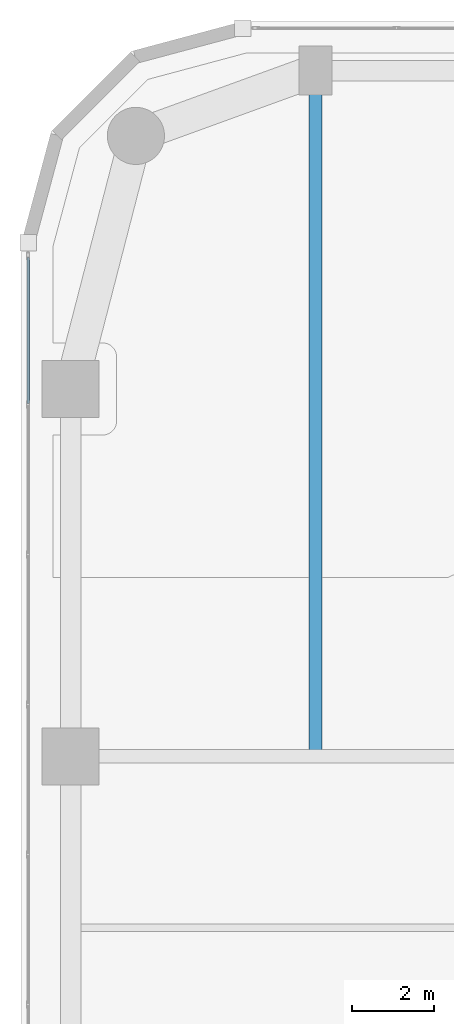
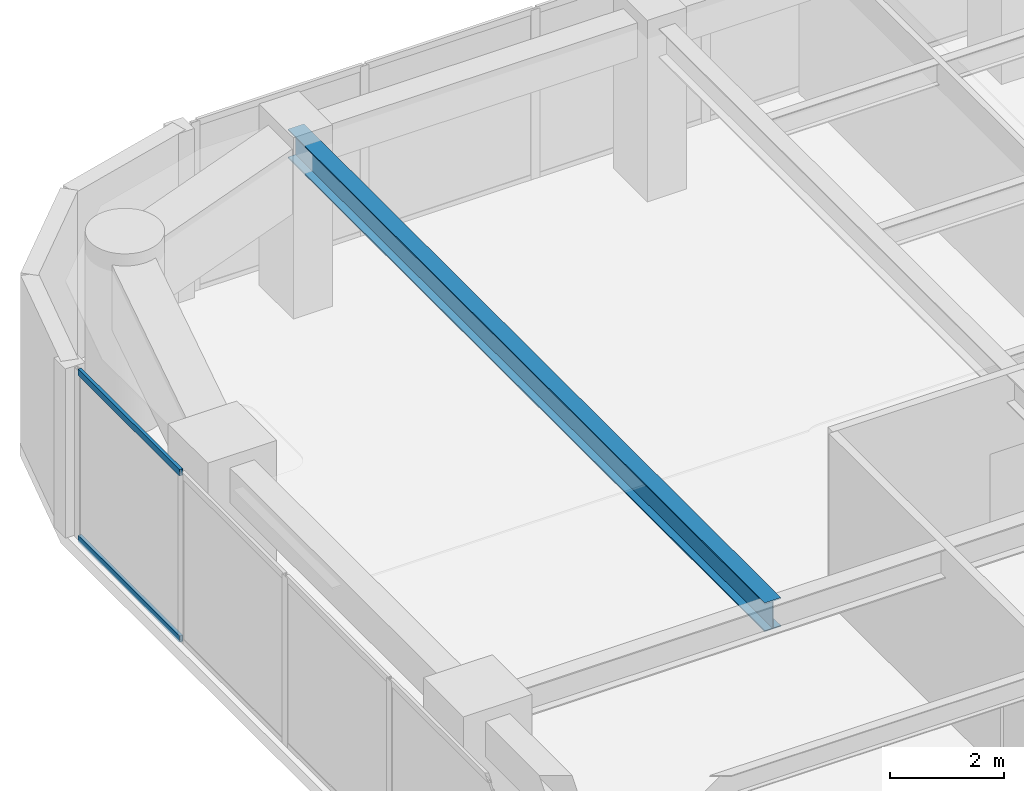
# One storey, part 10 of 24: 2 members, 1 beam, 1 element without a shape of its own.
"""IFC4 building model written with IfcOpenShell, lengths in metres."""

from ifc_helpers import new_model, si_unit, direction, frame, origin, origin_2d, place, context, subcontext, project, spatial, hollow_rectangle, i_section, extrude, material, layer, layer_set, material_profile, profile_set, type_object, element, aggregate, save


model = new_model("IFC4")

# Units and contexts
model_context = context("Model", 3, precision=1e-05, world=origin(), true_north=direction((0.0, 1.0)))
body_context = subcontext(model_context, "Body", "Model", "MODEL_VIEW")
ifc_project = project(units=[si_unit("LENGTHUNIT", "METRE"), si_unit("AREAUNIT", "SQUARE_METRE"), si_unit("VOLUMEUNIT", "CUBIC_METRE"), si_unit("PLANEANGLEUNIT", "RADIAN"), si_unit("MASSUNIT", "GRAM", prefix="KILO")], contexts=[model_context])

# Site, building, storey
site_placement = place(None, origin())
site = spatial("IfcSite", under=ifc_project, at=site_placement, CompositionType="ELEMENT")
building_placement = place(site_placement, origin())
building = spatial("IfcBuilding", under=site, at=building_placement, Name="Kiyonajd Concourse Tower", CompositionType="ELEMENT")
storey_placement = place(building_placement, frame((0.0, 0.0, 109.199951171875)))
storey = spatial("IfcBuildingStorey", under=building, at=storey_placement, Name="L28", CompositionType="ELEMENT", Elevation=109.199951171875)

# Beam
ifc_material_1 = material(Name="Steel ASTM A992 Grade 50", Category="steel")
ifc_material_profile_1 = material_profile(ifc_material_1, i_section(OverallWidth=0.326904296875, OverallDepth=0.6220703125, WebThickness=0.015380859375, FlangeThickness=0.0244140625, at=origin_2d()), Name="W610X195")
ifc_profile_set_1 = profile_set([ifc_material_profile_1], Name="Steel ASTM A992 Grade 50")
beam_type = type_object("IfcBeamType", Name="BM-TWR-610A", PredefinedType="BEAM", material=ifc_profile_set_1)
beam_placement = place(storey_placement, frame((25.199951171875, 44.39990234375, 3.3291015625), z_axis=(0.0, 1.0, 0.0), x_axis=(-1.0, 0.0, 0.0)))
element("IfcBeam", 1, at=beam_placement, inside=storey, type_object=beam_type, Name="L28 North Lease Girder", PredefinedType="BEAM", context=body_context, shape_type="SweptSolid", body=[
    extrude(i_section(OverallWidth=0.326904296875, OverallDepth=0.6220703125, WebThickness=0.015380859375, FlangeThickness=0.0244140625, at=origin_2d()), origin(), (0.0, 0.0, 1.0), 16.800048828125),
])

# Curtain wall, members
ifc_material_2 = material(Name="Thermally Broken Anodised Aluminium", Category="aluminium")
ifc_layer = layer(ifc_material_2, 0.179931640625)
ifc_layer_set = layer_set([ifc_layer], Name="Thermally Broken Anodised Aluminium")
curtain_wall_type = type_object("IfcCurtainWallType", Name="CW-SYS-03", PredefinedType="NOTDEFINED", material=ifc_layer_set)
curtain_wall_placement = place(storey_placement, origin())
curtain_wall = element("IfcCurtainWall", 2, at=curtain_wall_placement, inside=storey, type_object=curtain_wall_type, Name="L28 Unitised Curtain Wall CW3", PredefinedType="NOTDEFINED")
ifc_material_profile_2 = material_profile(ifc_material_2, hollow_rectangle(XDim=0.06494140625, YDim=0.139892578125, WallThickness=0.00390625, at=origin_2d()), Name="TRAN-65x140")
ifc_profile_set_2 = profile_set([ifc_material_profile_2], Name="Thermally Broken Anodised Aluminium")
member_type = type_object("IfcMemberType", Name="MB-CW-TRAN1", PredefinedType="USERDEFINED", material=ifc_profile_set_2)
member_1_placement = place(storey_placement, frame((18.159912109375, 53.04833984375, 0.032470703125), z_axis=(0.0, 1.0, 0.0), x_axis=(-1.0, 0.0, 0.0)))
member_1 = element("IfcMember", 3, at=member_1_placement, type_object=member_type, Name="CW3 transom 6.1", ObjectType="TRANSOM", PredefinedType="USERDEFINED", context=body_context, shape_type="SweptSolid", body=[
    extrude(hollow_rectangle(XDim=0.06494140625, YDim=0.139892578125, WallThickness=0.00390625, at=origin_2d()), origin(), (0.0, 0.0, 1.0), 3.575439453125),
])
member_2_placement = place(storey_placement, frame((18.159912109375, 53.04833984375, 3.607666015625), z_axis=(0.0, 1.0, 0.0), x_axis=(-1.0, 0.0, 0.0)))
member_2 = element("IfcMember", 4, at=member_2_placement, type_object=member_type, Name="CW3 transom 6.2", ObjectType="TRANSOM", PredefinedType="USERDEFINED", context=body_context, shape_type="SweptSolid", body=[
    extrude(hollow_rectangle(XDim=0.06494140625, YDim=0.139892578125, WallThickness=0.00390625, at=origin_2d()), origin(), (0.0, 0.0, 1.0), 3.575439453125),
])
aggregate(curtain_wall, [member_1, member_2])

save(model, "model.ifc")
